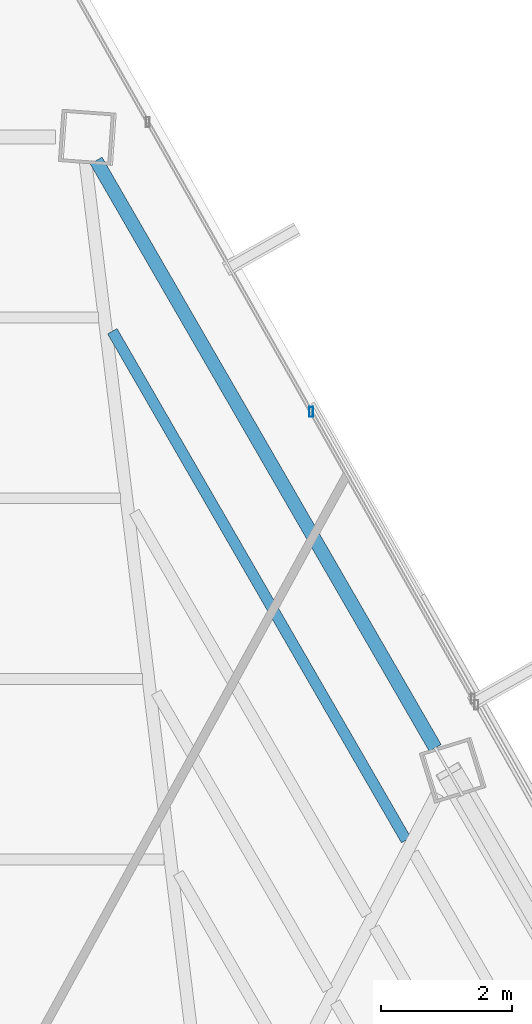
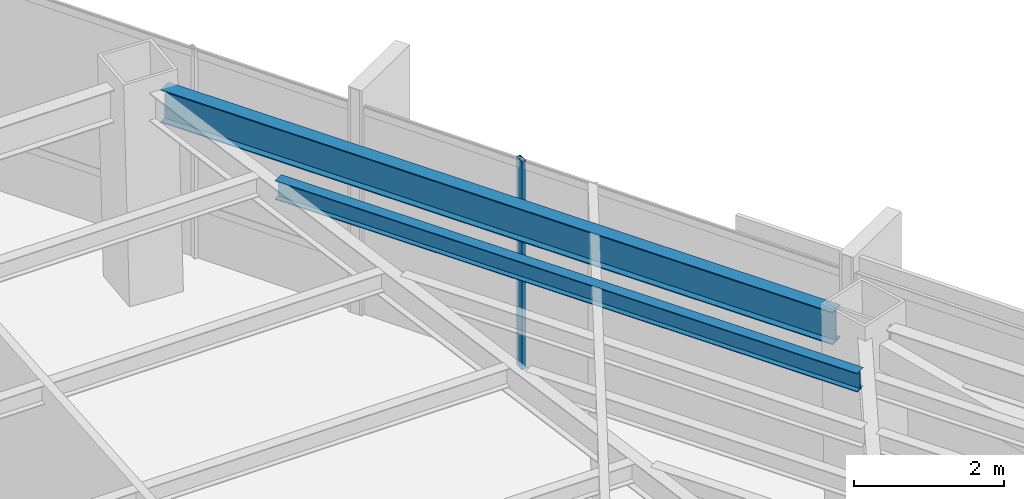
# One storey, part 30 of 42: 2 beams, 1 member, 1 element without a shape of its own.
"""IFC4 building model written with IfcOpenShell, lengths in metres."""

from ifc_helpers import new_model, si_unit, direction, frame, origin, origin_2d, place, context, subcontext, project, spatial, hollow_rectangle, i_section, extrude, source, transform, mapped, material, material_profile, profile_set, type_object, type_shapes, element, aggregate, save


model = new_model("IFC4")

# Units and contexts
model_context = context("Model", 3, precision=1e-05, world=origin(), true_north=direction((0.0, 1.0)))
body_context = subcontext(model_context, "Body", "Model", "MODEL_VIEW")
ifc_project = project(units=[si_unit("LENGTHUNIT", "METRE"), si_unit("AREAUNIT", "SQUARE_METRE"), si_unit("VOLUMEUNIT", "CUBIC_METRE"), si_unit("PLANEANGLEUNIT", "RADIAN"), si_unit("MASSUNIT", "GRAM", prefix="KILO")], contexts=[model_context])

# Site, building, storey
site_placement = place(None, origin())
site = spatial("IfcSite", under=ifc_project, at=site_placement, CompositionType="ELEMENT")
building_placement = place(site_placement, origin())
building = spatial("IfcBuilding", under=site, at=building_placement, Name="Caelisora Broadcast Tower", CompositionType="ELEMENT")
storey_placement = place(building_placement, frame((0.0, 0.0, 184.050048828125)))
storey = spatial("IfcBuildingStorey", under=building, at=storey_placement, Name="L48", CompositionType="ELEMENT", Elevation=184.050048828125)

# Beams
ifc_material_1 = material(Name="Steel Grade 350 (AS/NZS 3679.1)", Category="steel")
ifc_material_profile_1 = material_profile(ifc_material_1, i_section(OverallWidth=0.208984375, OverallDepth=0.532958984375, WebThickness=0.01025390625, FlangeThickness=0.015625, at=origin_2d()), Name="Steel Grade 350 (AS/NZS 3679.1)")
ifc_profile_set_1 = profile_set([ifc_material_profile_1], Name="Steel Grade 350 (AS/NZS 3679.1)")
beam_type_1 = type_object("IfcBeamType", Name="PG05", PredefinedType="BEAM", material=ifc_profile_set_1)
shared_shape_1 = source(origin(), body_context, "Body", "SweptSolid", [
    extrude(i_section(OverallWidth=0.208984375, OverallDepth=0.532958984375, WebThickness=0.01025390625, FlangeThickness=0.015625, at=origin_2d()), origin(), (0.0, 0.0, 1.0), 10.3603515625),
])
type_shapes(beam_type_1, [shared_shape_1])
beam_1_placement = place(storey_placement, frame((48.875244140625, 37.22119140625, 3.133544921875), z_axis=(-0.499996469828, 0.86602744192, 0.0), x_axis=(-0.86602744192, -0.499996469828, 0.0)))
element("IfcBeam", 1, at=beam_1_placement, inside=storey, type_object=beam_type_1, Name="L48 beam PG05", PredefinedType="BEAM", context=body_context, shape_type="MappedRepresentation", body=[
    mapped(shared_shape_1, transform((0.0, 0.0, 0.0), scale=1.0)),
])
ifc_material_profile_2 = material_profile(ifc_material_1, i_section(OverallWidth=0.166015625, OverallDepth=0.30712890625, WebThickness=0.006591796875, FlangeThickness=0.01171875, at=origin_2d()), Name="Steel Grade 350 (AS/NZS 3679.1)")
ifc_profile_set_2 = profile_set([ifc_material_profile_2], Name="Steel Grade 350 (AS/NZS 3679.1)")
beam_type_2 = type_object("IfcBeamType", Name="SB03", PredefinedType="JOIST", material=ifc_profile_set_2)
shared_shape_2 = source(origin(), body_context, "Body", "SweptSolid", [
    extrude(i_section(OverallWidth=0.166015625, OverallDepth=0.30712890625, WebThickness=0.006591796875, FlangeThickness=0.01171875, at=origin_2d()), origin(), (0.0, 0.0, 1.0), 8.976318359375),
])
type_shapes(beam_type_2, [shared_shape_2])
beam_2_placement = place(storey_placement, frame((48.430908203125, 35.812744140625, 3.246337890625), z_axis=(-0.499991638017, 0.866030231524, 0.0), x_axis=(-0.866030231524, -0.499991638017, 0.0)))
element("IfcBeam", 2, at=beam_2_placement, inside=storey, type_object=beam_type_2, Name="L48 beam SB03", PredefinedType="JOIST", context=body_context, shape_type="MappedRepresentation", body=[
    mapped(shared_shape_2, transform((0.0, 0.0, 0.0), scale=1.0)),
])

# Curtain wall, member
ifc_material_2 = material(Name="Unitised Aluminium and Low-E Glass Curtain Wall", Category="glass")
curtain_wall_type = type_object("IfcCurtainWallType", Name="CW-Z4", PredefinedType="NOTDEFINED", material=ifc_material_2)
curtain_wall_placement = place(storey_placement, origin())
curtain_wall = element("IfcCurtainWall", 3, at=curtain_wall_placement, inside=storey, type_object=curtain_wall_type, Name="L48 curtain wall CW-Z4", PredefinedType="NOTDEFINED")
ifc_material_3 = material(Name="Aluminium 6063-T6 Anodised Terracotta Bronze", Category="aluminium")
ifc_material_profile_3 = material_profile(ifc_material_3, hollow_rectangle(XDim=0.06005859375, YDim=0.14990234375, WallThickness=0.00341796875, at=origin_2d()), Name="Aluminium 6063-T6 Anodised Terracotta Bronze")
ifc_profile_set_3 = profile_set([ifc_material_profile_3], Name="Aluminium 6063-T6 Anodised Terracotta Bronze")
member_type = type_object("IfcMemberType", Name="CWM-03", PredefinedType="MULLION", material=ifc_profile_set_3)
shared_shape_3 = source(origin(), body_context, "Body", "SweptSolid", [
    extrude(hollow_rectangle(XDim=0.06005859375, YDim=0.14990234375, WallThickness=0.00341796875, at=origin_2d()), origin(), (0.0, 0.0, 1.0), 3.39990234375),
])
type_shapes(member_type, [shared_shape_3])
member_placement = place(storey_placement, frame((46.97900390625, 42.355224609375, 0.0), z_axis=(0.0, 0.0, 1.0), x_axis=(1.0, 0.0, 0.0)))
member = element("IfcMember", 4, at=member_placement, type_object=member_type, Name="L48-CW-B01 mullion #2", PredefinedType="MULLION", context=body_context, shape_type="MappedRepresentation", body=[
    mapped(shared_shape_3, transform((0.0, 0.0, 0.0), scale=1.0)),
])
aggregate(curtain_wall, [member])

save(model, "model.ifc")
